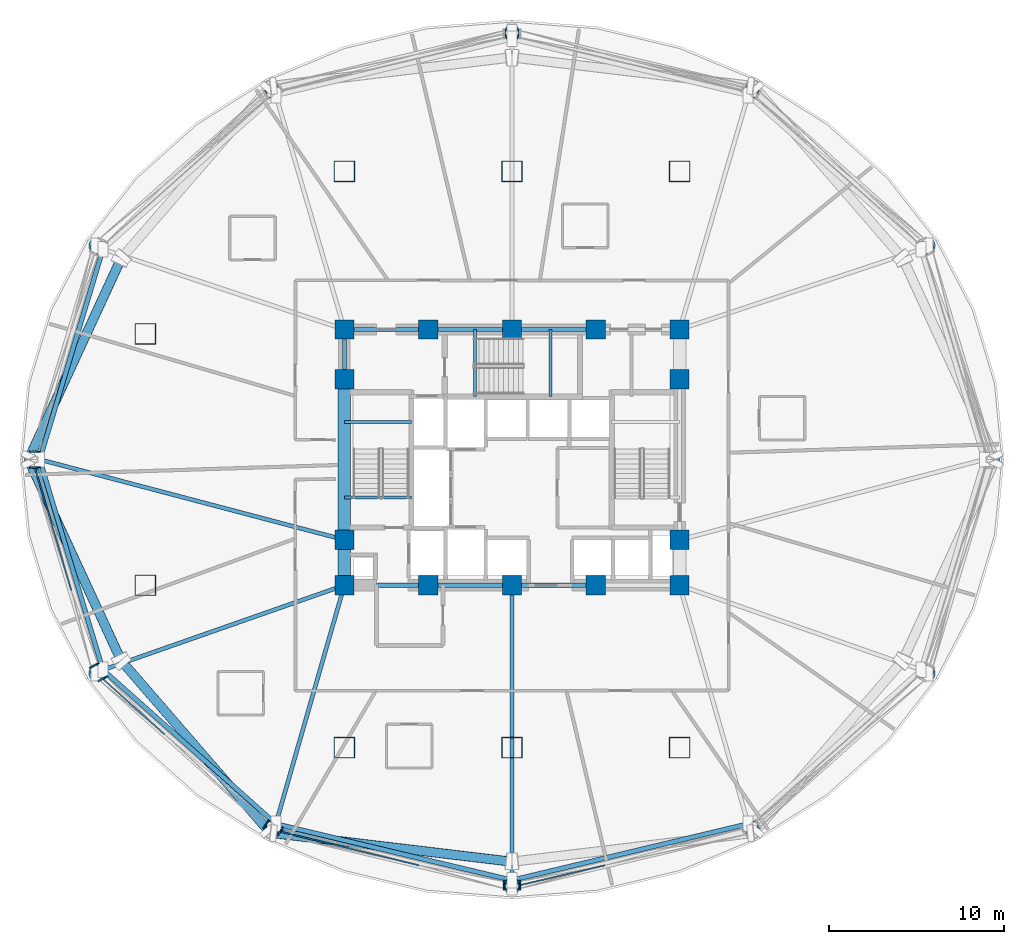
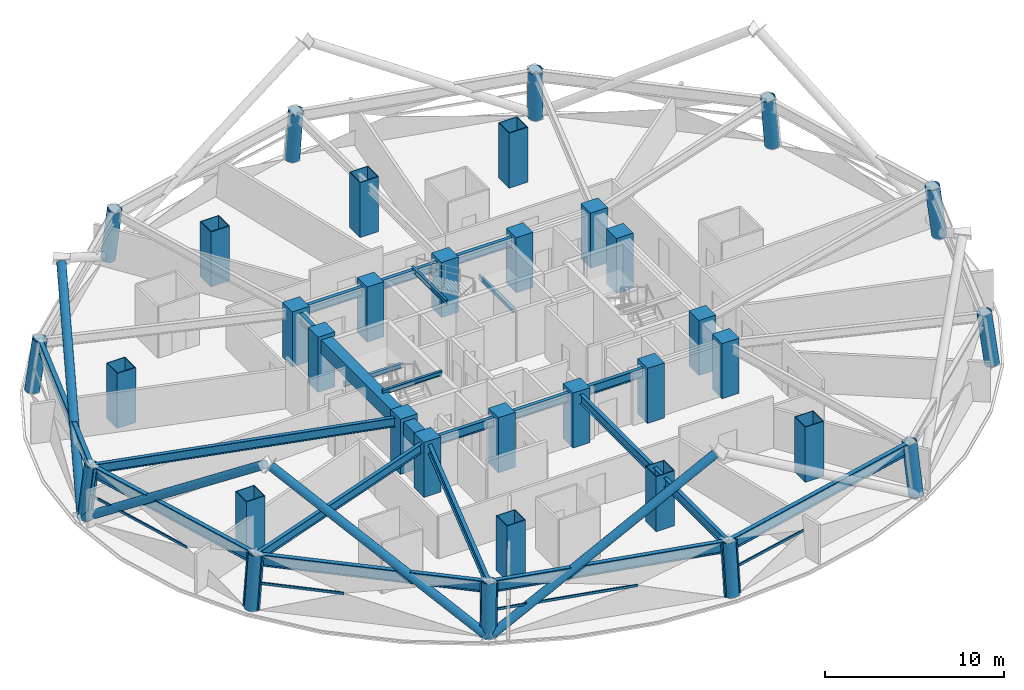
# One storey, part 1 of 13: 34 columns, 22 beams, 16 members, 5 elements without a shape of their own.
"""IFC4 building model written with IfcOpenShell, lengths in metres."""

from ifc_helpers import new_model, si_unit, direction, frame, origin, origin_2d, place, context, subcontext, project, spatial, rectangle, hollow_rectangle, hollow_circle, i_section, extrude, material, layer, layer_set, material_profile, profile_set, type_object, element, aggregate, save


model = new_model("IFC4")

# Units and contexts
model_context = context("Model", 3, precision=1e-05, world=origin(), true_north=direction((0.0, 1.0)))
body_context = subcontext(model_context, "Body", "Model", "MODEL_VIEW")
ifc_project = project(units=[si_unit("LENGTHUNIT", "METRE"), si_unit("AREAUNIT", "SQUARE_METRE"), si_unit("VOLUMEUNIT", "CUBIC_METRE"), si_unit("PLANEANGLEUNIT", "RADIAN"), si_unit("MASSUNIT", "GRAM", prefix="KILO")], contexts=[model_context])

# Site, building, storey
site_placement = place(None, origin())
site = spatial("IfcSite", under=ifc_project, at=site_placement, CompositionType="ELEMENT")
building_placement = place(site_placement, origin())
building = spatial("IfcBuilding", under=site, at=building_placement, Name="Vantalir Tower", CompositionType="ELEMENT")
storey_placement = place(building_placement, frame((0.0, 0.0, 87.0)))
storey = spatial("IfcBuildingStorey", under=building, at=storey_placement, Name="L21", CompositionType="ELEMENT", Elevation=87.0)

# Columns
ifc_material_1 = material(Name="Concrete C60/75", Category="concrete")
ifc_material_profile_1 = material_profile(ifc_material_1, rectangle(XDim=1.10009765625, YDim=1.10009765625, at=origin_2d()), Name="Concrete C60/75")
ifc_profile_set_1 = profile_set([ifc_material_profile_1], Name="Concrete C60/75")
column_type_1 = type_object("IfcColumnType", Name="COL-CC-1100", PredefinedType="COLUMN", material=ifc_profile_set_1)
for number, where, z_axis, x_axis, name in (
    (1, (21.89990234375, 17.800048828125, 0.0), (0.0, 0.0, 1.0), (1.0, 0.0, 0.0), "L21 Core Column CC01"),
    (2, (26.699951171875, 17.800048828125, 0.0), (0.0, 0.0, 1.0), (1.0, 0.0, 0.0), "L21 Core Column CC02"),
    (3, (31.5, 17.800048828125, 0.0), (0.0, 0.0, 1.0), (1.0, 0.0, 0.0), "L21 Core Column CC03"),
    (4, (36.300048828125, 17.800048828125, 0.0), (0.0, 0.0, 1.0), (1.0, 0.0, 0.0), "L21 Core Column CC04"),
    (5, (41.10009765625, 17.800048828125, 0.0), (0.0, 0.0, 1.0), (1.0, 0.0, 0.0), "L21 Core Column CC05"),
    (6, (21.89990234375, 20.39990234375, 0.0), (0.0, 0.0, 1.0), (1.0, 0.0, 0.0), "L21 Core Column CC06"),
    (7, (21.89990234375, 29.60009765625, 0.0), (0.0, 0.0, 1.0), (1.0, 0.0, 0.0), "L21 Core Column CC07"),
    (8, (41.10009765625, 20.39990234375, 0.0), (0.0, 0.0, 1.0), (1.0, 0.0, 0.0), "L21 Core Column CC08"),
    (9, (41.10009765625, 29.60009765625, 0.0), (0.0, 0.0, 1.0), (1.0, 0.0, 0.0), "L21 Core Column CC09"),
    (10, (21.89990234375, 32.449951171875, 0.0), (0.0, 0.0, 1.0), (1.0, 0.0, 0.0), "L21 Core Column CC10"),
    (11, (26.699951171875, 32.449951171875, 0.0), (0.0, 0.0, 1.0), (1.0, 0.0, 0.0), "L21 Core Column CC11"),
    (12, (31.5, 32.449951171875, 0.0), (0.0, 0.0, 1.0), (1.0, 0.0, 0.0), "L21 Core Column CC12"),
    (13, (36.300048828125, 32.449951171875, 0.0), (0.0, 0.0, 1.0), (1.0, 0.0, 0.0), "L21 Core Column CC13"),
    (14, (41.10009765625, 32.449951171875, 0.0), (0.0, 0.0, 1.0), (1.0, 0.0, 0.0), "L21 Core Column CC14"),
):
    element("IfcColumn", number, at=place(storey_placement, frame(where, z_axis=z_axis, x_axis=x_axis)), inside=storey, type_object=column_type_1, Name=name, PredefinedType="COLUMN", context=body_context, shape_type="SweptSolid", body=[
        extrude(rectangle(XDim=1.10009765625, YDim=1.10009765625, at=origin_2d()), origin(), (0.0, 0.0, 1.0), 3.75),
    ])
ifc_material_2 = material(Name="Steel S460", Category="steel")
ifc_material_profile_2 = material_profile(ifc_material_2, hollow_rectangle(XDim=1.199951171875, YDim=1.199951171875, WallThickness=0.044921875, at=origin_2d()), Name="Steel S460")
ifc_profile_set_2 = profile_set([ifc_material_profile_2], Name="Steel S460")
column_type_2 = type_object("IfcColumnType", Name="COL-MC-1200", PredefinedType="COLUMN", material=ifc_profile_set_2)
for number, where, z_axis, x_axis, name in (
    (15, (21.89990234375, 8.5, 0.0), (0.0, 0.0, 1.0), (1.0, 0.0, 0.0), "L21 S460 Mega-Column MC01"),
    (16, (31.5, 8.5, 0.0), (0.0, 0.0, 1.0), (1.0, 0.0, 0.0), "L21 S460 Mega-Column MC02"),
    (17, (41.10009765625, 8.5, 0.0), (0.0, 0.0, 1.0), (1.0, 0.0, 0.0), "L21 S460 Mega-Column MC03"),
    (18, (10.5, 17.800048828125, 0.0), (0.0, 0.0, 1.0), (1.0, 0.0, 0.0), "L21 S460 Mega-Column MC04"),
    (19, (10.5, 32.199951171875, 0.0), (0.0, 0.0, 1.0), (1.0, 0.0, 0.0), "L21 S460 Mega-Column MC05"),
    (20, (21.89990234375, 41.5, 0.0), (0.0, 0.0, 1.0), (1.0, 0.0, 0.0), "L21 S460 Mega-Column MC06"),
    (21, (31.5, 41.5, 0.0), (0.0, 0.0, 1.0), (1.0, 0.0, 0.0), "L21 S460 Mega-Column MC07"),
    (22, (41.10009765625, 41.5, 0.0), (0.0, 0.0, 1.0), (1.0, 0.0, 0.0), "L21 S460 Mega-Column MC08"),
):
    element("IfcColumn", number, at=place(storey_placement, frame(where, z_axis=z_axis, x_axis=x_axis)), inside=storey, type_object=column_type_2, Name=name, PredefinedType="COLUMN", context=body_context, shape_type="SweptSolid", body=[
        extrude(hollow_rectangle(XDim=1.199951171875, YDim=1.199951171875, WallThickness=0.044921875, at=origin_2d()), origin(), (0.0, 0.0, 1.0), 3.75),
    ])
ifc_material_profile_3 = material_profile(ifc_material_2, hollow_circle(Radius=0.425048828125, WallThickness=0.0400390625, at=origin_2d()), Name="Steel S460")
ifc_profile_set_3 = profile_set([ifc_material_profile_3], Name="Steel S460")
column_type_3 = type_object("IfcColumnType", Name="COL-RC-850", PredefinedType="COLUMN", material=ifc_profile_set_3)
column_1_placement = place(storey_placement, frame((59.0, 25.0, 0.0), z_axis=(-0.127508130523, 0.0, 0.991837525329), x_axis=(0.0, -1.0, 0.0)))
element("IfcColumn", 23, at=column_1_placement, inside=storey, type_object=column_type_3, Name="L21 Perimeter Ring Column RC01", PredefinedType="COLUMN", context=body_context, shape_type="SweptSolid", body=[
    extrude(hollow_circle(Radius=0.425048828125, WallThickness=0.0400390625, at=origin_2d()), origin(), (0.0, 0.0, 1.0), 3.52880859375),
])
column_2_placement = place(storey_placement, frame((55.31591796875, 37.2470703125, 0.0), z_axis=(-0.110532853476, -0.057031353328, 0.992234807412), x_axis=(0.458529519134, -0.888679177253, 0.0)))
element("IfcColumn", 24, at=column_2_placement, inside=storey, type_object=column_type_3, Name="L21 Perimeter Ring Column RC02", PredefinedType="COLUMN", context=body_context, shape_type="SweptSolid", body=[
    extrude(hollow_circle(Radius=0.425048828125, WallThickness=0.0400390625, at=origin_2d()), origin(), (0.0, 0.0, 1.0), 3.52734375),
])
column_3_placement = place(storey_placement, frame((45.25, 46.212890625, 0.0), z_axis=(-0.063867569811, -0.098710723407, 0.993064512814), x_axis=(0.839585964149, -0.543226848383, 0.0)))
element("IfcColumn", 25, at=column_3_placement, inside=storey, type_object=column_type_3, Name="L21 Perimeter Ring Column RC03", PredefinedType="COLUMN", context=body_context, shape_type="SweptSolid", body=[
    extrude(hollow_circle(Radius=0.425048828125, WallThickness=0.0400390625, at=origin_2d()), origin(), (0.0, 0.0, 1.0), 3.5244140625),
])
column_4_placement = place(storey_placement, frame((31.5, 49.4951171875, 0.0), z_axis=(0.0, -0.114134855821, 0.993465265969), x_axis=(1.0, 0.0, 0.0)))
element("IfcColumn", 26, at=column_4_placement, inside=storey, type_object=column_type_3, Name="L21 Perimeter Ring Column RC04", PredefinedType="COLUMN", context=body_context, shape_type="SweptSolid", body=[
    extrude(hollow_circle(Radius=0.425048828125, WallThickness=0.0400390625, at=origin_2d()), origin(), (0.0, 0.0, 1.0), 3.52294921875),
])
column_5_placement = place(storey_placement, frame((17.75, 46.212890625, 0.0), z_axis=(0.063867569811, -0.098710723407, 0.993064512814), x_axis=(0.839585964149, 0.543226848383, 0.0)))
element("IfcColumn", 27, at=column_5_placement, inside=storey, type_object=column_type_3, Name="L21 Perimeter Ring Column RC05", PredefinedType="COLUMN", context=body_context, shape_type="SweptSolid", body=[
    extrude(hollow_circle(Radius=0.425048828125, WallThickness=0.0400390625, at=origin_2d()), origin(), (0.0, 0.0, 1.0), 3.5244140625),
])
column_6_placement = place(storey_placement, frame((7.68408203125, 37.2470703125, 0.0), z_axis=(0.110532853476, -0.057031353328, 0.992234807412), x_axis=(0.458529519134, 0.888679177253, 0.0)))
element("IfcColumn", 28, at=column_6_placement, inside=storey, type_object=column_type_3, Name="L21 Perimeter Ring Column RC06", PredefinedType="COLUMN", context=body_context, shape_type="SweptSolid", body=[
    extrude(hollow_circle(Radius=0.425048828125, WallThickness=0.0400390625, at=origin_2d()), origin(), (0.0, 0.0, 1.0), 3.52734375),
])
column_7_placement = place(storey_placement, frame((4.0, 25.0, 0.0), z_axis=(0.127508130523, 0.0, 0.991837525329), x_axis=(0.0, 1.0, 0.0)))
element("IfcColumn", 29, at=column_7_placement, inside=storey, type_object=column_type_3, Name="L21 Perimeter Ring Column RC07", PredefinedType="COLUMN", context=body_context, shape_type="SweptSolid", body=[
    extrude(hollow_circle(Radius=0.425048828125, WallThickness=0.0400390625, at=origin_2d()), origin(), (0.0, 0.0, 1.0), 3.52880859375),
])
column_8_placement = place(storey_placement, frame((7.68408203125, 12.751953125, 0.0), z_axis=(0.110533289521, 0.056962365232, 0.992238721707), x_axis=(-0.458089880056, 0.888905879039, 0.0)))
element("IfcColumn", 30, at=column_8_placement, inside=storey, type_object=column_type_3, Name="L21 Perimeter Ring Column RC08", PredefinedType="COLUMN", context=body_context, shape_type="SweptSolid", body=[
    extrude(hollow_circle(Radius=0.425048828125, WallThickness=0.0400390625, at=origin_2d()), origin(), (0.0, 0.0, 1.0), 3.52734375),
])
column_9_placement = place(storey_placement, frame((17.75, 3.787109375, 0.0), z_axis=(0.063867569811, 0.098710723407, 0.993064512814), x_axis=(-0.839585964149, 0.543226848383, 0.0)))
element("IfcColumn", 31, at=column_9_placement, inside=storey, type_object=column_type_3, Name="L21 Perimeter Ring Column RC09", PredefinedType="COLUMN", context=body_context, shape_type="SweptSolid", body=[
    extrude(hollow_circle(Radius=0.425048828125, WallThickness=0.0400390625, at=origin_2d()), origin(), (0.0, 0.0, 1.0), 3.5244140625),
])
column_10_placement = place(storey_placement, frame((31.5, 0.5048828125, 0.0), z_axis=(0.0, 0.114134855821, 0.993465265969), x_axis=(-1.0, 0.0, 0.0)))
element("IfcColumn", 32, at=column_10_placement, inside=storey, type_object=column_type_3, Name="L21 Perimeter Ring Column RC10", PredefinedType="COLUMN", context=body_context, shape_type="SweptSolid", body=[
    extrude(hollow_circle(Radius=0.425048828125, WallThickness=0.0400390625, at=origin_2d()), origin(), (0.0, 0.0, 1.0), 3.52294921875),
])
column_11_placement = place(storey_placement, frame((45.25, 3.787109375, 0.0), z_axis=(-0.063867569811, 0.098710723407, 0.993064512814), x_axis=(-0.839585964149, -0.543226848383, 0.0)))
element("IfcColumn", 33, at=column_11_placement, inside=storey, type_object=column_type_3, Name="L21 Perimeter Ring Column RC11", PredefinedType="COLUMN", context=body_context, shape_type="SweptSolid", body=[
    extrude(hollow_circle(Radius=0.425048828125, WallThickness=0.0400390625, at=origin_2d()), origin(), (0.0, 0.0, 1.0), 3.5244140625),
])
column_12_placement = place(storey_placement, frame((55.31591796875, 12.751953125, 0.0), z_axis=(-0.110533289521, 0.056962365232, 0.992238721707), x_axis=(-0.458089880056, -0.888905879039, 0.0)))
element("IfcColumn", 34, at=column_12_placement, inside=storey, type_object=column_type_3, Name="L21 Perimeter Ring Column RC12", PredefinedType="COLUMN", context=body_context, shape_type="SweptSolid", body=[
    extrude(hollow_circle(Radius=0.425048828125, WallThickness=0.0400390625, at=origin_2d()), origin(), (0.0, 0.0, 1.0), 3.52734375),
])

# Beams
ifc_material_profile_4 = material_profile(ifc_material_1, rectangle(XDim=0.699951171875, YDim=0.949951171875, at=origin_2d()), Name="Concrete C60/75")
ifc_profile_set_4 = profile_set([ifc_material_profile_4], Name="Concrete C60/75")
beam_type_1 = type_object("IfcBeamType", Name="BM-CB-700x950", PredefinedType="USERDEFINED", material=ifc_profile_set_4)
beam_1_placement = place(storey_placement, frame((21.89990234375, 29.60009765625, 3.02490234375), z_axis=(0.0, -1.0, 0.0), x_axis=(1.0, 0.0, 0.0)))
element("IfcBeam", 35, at=beam_1_placement, inside=storey, type_object=beam_type_1, Name="L21 Core Coupling Girder 13", ObjectType="GIRDER", PredefinedType="USERDEFINED", context=body_context, shape_type="SweptSolid", body=[
    extrude(rectangle(XDim=0.699951171875, YDim=0.949951171875, at=origin_2d()), origin(), (0.0, 0.0, 1.0), 9.2001953125),
])
beam_2_placement = place(storey_placement, frame((21.89990234375, 20.39990234375, 3.02490234375), z_axis=(0.0, -1.0, 0.0), x_axis=(1.0, 0.0, 0.0)))
element("IfcBeam", 36, at=beam_2_placement, inside=storey, type_object=beam_type_1, Name="L21 Core Coupling Girder 14", ObjectType="GIRDER", PredefinedType="USERDEFINED", context=body_context, shape_type="SweptSolid", body=[
    extrude(rectangle(XDim=0.699951171875, YDim=0.949951171875, at=origin_2d()), origin(), (0.0, 0.0, 1.0), 2.599853515625),
])
ifc_material_3 = material(Name="Steel S355", Category="steel")
ifc_material_profile_5 = material_profile(ifc_material_3, i_section(OverallWidth=0.166015625, OverallDepth=0.306884765625, WebThickness=0.006591796875, FlangeThickness=0.01171875, at=origin_2d()), Name="Steel S355")
ifc_profile_set_5 = profile_set([ifc_material_profile_5], Name="Steel S355")
beam_type_2 = type_object("IfcBeamType", Name="BM-JS-305x165", PredefinedType="JOIST", material=ifc_profile_set_5)
for number, where, z_axis, x_axis, name in (
    (37, (21.89990234375, 22.8349609375, 3.595947265625), (1.0, 0.0, 0.0), (0.0, 1.0, 0.0), "L22 Stair ST1 Well Nosing Trimmer Beam"),
    (38, (21.89990234375, 27.14501953125, 1.52197265625), (1.0, 0.0, 0.0), (0.0, 1.0, 0.0), "L21 Stair ST1 Half-Landing Support Beam"),
):
    element("IfcBeam", number, at=place(storey_placement, frame(where, z_axis=z_axis, x_axis=x_axis)), inside=storey, type_object=beam_type_2, Name=name, PredefinedType="JOIST", context=body_context, shape_type="SweptSolid", body=[
        extrude(i_section(OverallWidth=0.166015625, OverallDepth=0.306884765625, WebThickness=0.006591796875, FlangeThickness=0.01171875, at=origin_2d()), origin(), (0.0, 0.0, 1.0), 3.840087890625),
    ])
for number, where, z_axis, x_axis, name in (
    (39, (29.385009765625, 28.60009765625, 3.595947265625), (0.0, 1.0, 0.0), (-1.0, 0.0, 0.0), "L22 Stair ST3 Well Nosing Trimmer Beam"),
    (40, (33.695068359375, 28.60009765625, 1.52197265625), (0.0, 1.0, 0.0), (-1.0, 0.0, 0.0), "L21 Stair ST3 Half-Landing Support Beam"),
):
    element("IfcBeam", number, at=place(storey_placement, frame(where, z_axis=z_axis, x_axis=x_axis)), inside=storey, type_object=beam_type_2, Name=name, PredefinedType="JOIST", context=body_context, shape_type="SweptSolid", body=[
        extrude(i_section(OverallWidth=0.166015625, OverallDepth=0.306884765625, WebThickness=0.006591796875, FlangeThickness=0.01171875, at=origin_2d()), origin(), (0.0, 0.0, 1.0), 3.849853515625),
    ])
ifc_material_profile_6 = material_profile(ifc_material_3, i_section(OverallWidth=0.22998046875, OverallDepth=0.616943359375, WebThickness=0.01318359375, FlangeThickness=0.022216796875, at=origin_2d()), Name="Steel S355")
ifc_profile_set_6 = profile_set([ifc_material_profile_6], Name="Steel S355")
beam_type_3 = type_object("IfcBeamType", Name="BM-RB-610x229", PredefinedType="BEAM", material=ifc_profile_set_6)
for number, where, z_axis, x_axis, name in (
    (41, (21.89990234375, 17.800048828125, 3.19189453125), (1.0, 0.0, 0.0), (0.0, 1.0, 0.0), "L21 Core Coupling Girder 01"),
    (42, (26.699951171875, 17.800048828125, 3.19189453125), (1.0, 0.0, 0.0), (0.0, 1.0, 0.0), "L21 Core Coupling Girder 02"),
    (43, (31.5, 17.800048828125, 3.19189453125), (1.0, 0.0, 0.0), (0.0, 1.0, 0.0), "L21 Core Coupling Girder 03"),
    (44, (36.300048828125, 32.449951171875, 3.19189453125), (-1.0, 0.0, 0.0), (0.0, -1.0, 0.0), "L21 Core Coupling Girder 09"),
    (45, (31.5, 32.449951171875, 3.19189453125), (-1.0, 0.0, 0.0), (0.0, -1.0, 0.0), "L21 Core Coupling Girder 10"),
    (46, (26.699951171875, 32.449951171875, 3.19189453125), (-1.0, 0.0, 0.0), (0.0, -1.0, 0.0), "L21 Core Coupling Girder 11"),
):
    element("IfcBeam", number, at=place(storey_placement, frame(where, z_axis=z_axis, x_axis=x_axis)), inside=storey, type_object=beam_type_3, Name=name, PredefinedType="BEAM", context=body_context, shape_type="SweptSolid", body=[
        extrude(i_section(OverallWidth=0.22998046875, OverallDepth=0.616943359375, WebThickness=0.01318359375, FlangeThickness=0.022216796875, at=origin_2d()), origin(), (0.0, 0.0, 1.0), 4.800048828125),
    ])
beam_3_placement = place(storey_placement, frame((21.89990234375, 32.449951171875, 3.19189453125), z_axis=(0.0, -1.0, 0.0), x_axis=(1.0, 0.0, 0.0)))
element("IfcBeam", 47, at=beam_3_placement, inside=storey, type_object=beam_type_3, Name="L21 Core Coupling Girder 12", PredefinedType="BEAM", context=body_context, shape_type="SweptSolid", body=[
    extrude(i_section(OverallWidth=0.22998046875, OverallDepth=0.616943359375, WebThickness=0.01318359375, FlangeThickness=0.022216796875, at=origin_2d()), origin(), (0.0, 0.0, 1.0), 2.849853515625),
])
beam_4_placement = place(storey_placement, frame((4.449951171875, 25.0, 3.19189453125), z_axis=(0.966965272204, -0.25490814493, 0.0), x_axis=(0.25490814493, 0.966965272204, 0.0)))
element("IfcBeam", 48, at=beam_4_placement, inside=storey, type_object=beam_type_3, Name="L21 Radial Floor Beam 07", PredefinedType="BEAM", context=body_context, shape_type="SweptSolid", body=[
    extrude(i_section(OverallWidth=0.22998046875, OverallDepth=0.616943359375, WebThickness=0.01318359375, FlangeThickness=0.022216796875, at=origin_2d()), origin(), (0.0, 0.0, 1.0), 18.046142578125),
])
beam_5_placement = place(storey_placement, frame((8.073974609375, 12.952880859375, 3.19189453125), z_axis=(0.943685986294, 0.330842499194, 0.0), x_axis=(-0.330842499194, 0.943685986294, 0.0)))
element("IfcBeam", 49, at=beam_5_placement, inside=storey, type_object=beam_type_3, Name="L21 Radial Floor Beam 08", PredefinedType="BEAM", context=body_context, shape_type="SweptSolid", body=[
    extrude(i_section(OverallWidth=0.22998046875, OverallDepth=0.616943359375, WebThickness=0.01318359375, FlangeThickness=0.022216796875, at=origin_2d()), origin(), (0.0, 0.0, 1.0), 14.65087890625),
])
beam_6_placement = place(storey_placement, frame((17.97509765625, 4.135009765625, 3.19189453125), z_axis=(0.276054434933, 0.961142002492, 0.0), x_axis=(-0.961142002492, 0.276054434933, 0.0)))
element("IfcBeam", 50, at=beam_6_placement, inside=storey, type_object=beam_type_3, Name="L21 Radial Floor Beam 09", PredefinedType="BEAM", context=body_context, shape_type="SweptSolid", body=[
    extrude(i_section(OverallWidth=0.22998046875, OverallDepth=0.616943359375, WebThickness=0.01318359375, FlangeThickness=0.022216796875, at=origin_2d()), origin(), (0.0, 0.0, 1.0), 14.217529296875),
])
beam_7_placement = place(storey_placement, frame((31.5, 0.906982421875, 3.19189453125), z_axis=(0.0, 1.0, 0.0), x_axis=(-1.0, 0.0, 0.0)))
element("IfcBeam", 51, at=beam_7_placement, inside=storey, type_object=beam_type_3, Name="L21 Radial Floor Beam 10", PredefinedType="BEAM", context=body_context, shape_type="SweptSolid", body=[
    extrude(i_section(OverallWidth=0.22998046875, OverallDepth=0.616943359375, WebThickness=0.01318359375, FlangeThickness=0.022216796875, at=origin_2d()), origin(), (0.0, 0.0, 1.0), 16.89306640625),
])
ifc_material_profile_7 = material_profile(ifc_material_2, i_section(OverallWidth=0.26806640625, OverallDepth=0.77001953125, WebThickness=0.015625, FlangeThickness=0.025390625, at=origin_2d()), Name="Steel S460")
ifc_profile_set_7 = profile_set([ifc_material_profile_7], Name="Steel S460")
beam_type_4 = type_object("IfcBeamType", Name="BM-RG-762x267", PredefinedType="USERDEFINED", material=ifc_profile_set_7)
beam_8_placement = place(storey_placement, frame((8.073974609375, 37.0458984375, 3.114990234375), z_axis=(-0.288095637705, -0.95760164136, 0.0), x_axis=(0.95760164136, -0.288095637705, 0.0)))
element("IfcBeam", 52, at=beam_8_placement, inside=storey, type_object=beam_type_4, Name="L21 Circumferential Ring Girder 06", ObjectType="GIRDER", PredefinedType="USERDEFINED", context=body_context, shape_type="SweptSolid", body=[
    extrude(i_section(OverallWidth=0.26806640625, OverallDepth=0.77001953125, WebThickness=0.015625, FlangeThickness=0.025390625, at=origin_2d()), origin(), (0.0, 0.0, 1.0), 12.579345703125),
])
beam_9_placement = place(storey_placement, frame((4.449951171875, 25.0, 3.114990234375), z_axis=(0.288068868296, -0.957609694562, 0.0), x_axis=(0.957609694562, 0.288068868296, 0.0)))
element("IfcBeam", 53, at=beam_9_placement, inside=storey, type_object=beam_type_4, Name="L21 Circumferential Ring Girder 07", ObjectType="GIRDER", PredefinedType="USERDEFINED", context=body_context, shape_type="SweptSolid", body=[
    extrude(i_section(OverallWidth=0.26806640625, OverallDepth=0.77001953125, WebThickness=0.015625, FlangeThickness=0.025390625, at=origin_2d()), origin(), (0.0, 0.0, 1.0), 12.580322265625),
])
beam_10_placement = place(storey_placement, frame((8.073974609375, 12.952880859375, 3.114990234375), z_axis=(0.746777065198, -0.665074443122, 0.0), x_axis=(0.665074443122, 0.746777065198, 0.0)))
element("IfcBeam", 54, at=beam_10_placement, inside=storey, type_object=beam_type_4, Name="L21 Circumferential Ring Girder 08", ObjectType="GIRDER", PredefinedType="USERDEFINED", context=body_context, shape_type="SweptSolid", body=[
    extrude(i_section(OverallWidth=0.26806640625, OverallDepth=0.77001953125, WebThickness=0.015625, FlangeThickness=0.025390625, at=origin_2d()), origin(), (0.0, 0.0, 1.0), 13.258544921875),
])
for number, where, z_axis, x_axis, name in (
    (55, (17.97509765625, 4.135009765625, 3.114990234375), (0.972679470738, -0.232152206977, 0.0), (0.232152206977, 0.972679470738, 0.0), "L21 Circumferential Ring Girder 09"),
    (56, (31.5, 0.906982421875, 3.114990234375), (0.972679470738, 0.232152206977, 0.0), (-0.232152206977, 0.972679470738, 0.0), "L21 Circumferential Ring Girder 10"),
):
    element("IfcBeam", number, at=place(storey_placement, frame(where, z_axis=z_axis, x_axis=x_axis)), inside=storey, type_object=beam_type_4, Name=name, ObjectType="GIRDER", PredefinedType="USERDEFINED", context=body_context, shape_type="SweptSolid", body=[
        extrude(i_section(OverallWidth=0.26806640625, OverallDepth=0.77001953125, WebThickness=0.015625, FlangeThickness=0.025390625, at=origin_2d()), origin(), (0.0, 0.0, 1.0), 13.90478515625),
    ])

# Curtain wall, member
ifc_material_4 = material(Name="Champagne-silver PVDF aluminium and double-silver Low-E glass", Category="aluminium")
ifc_layer = layer(ifc_material_4, 0.18994140625)
ifc_layer_set = layer_set([ifc_layer], Name="Champagne-silver PVDF aluminium and double-silver Low-E glass")
curtain_wall_type = type_object("IfcCurtainWallType", Name="CW-DIAMOND-Z1", PredefinedType="USERDEFINED", material=ifc_layer_set)
curtain_wall_1_placement = place(storey_placement, origin())
curtain_wall_1 = element("IfcCurtainWall", 57, at=curtain_wall_1_placement, inside=storey, type_object=curtain_wall_type, Name="L21 Quilted Pyramid-Diamond Curtain Wall S06", ObjectType="UNITISED CURTAIN WALL", PredefinedType="USERDEFINED")
ifc_material_5 = material(Name="Champagne-silver PVDF aluminium 6063-T6", Category="aluminium")
ifc_material_profile_8 = material_profile(ifc_material_5, hollow_rectangle(XDim=0.074951171875, YDim=0.179931640625, WallThickness=0.00390625, at=origin_2d()), Name="Champagne-silver PVDF aluminium 6063-T6")
ifc_profile_set_8 = profile_set([ifc_material_profile_8], Name="Champagne-silver PVDF aluminium 6063-T6")
member_type_1 = type_object("IfcMemberType", Name="CWM-180x75", PredefinedType="MULLION", material=ifc_profile_set_8)
member_1_placement = place(storey_placement, frame((3.945068359375, 25.449951171875, 0.044921875), z_axis=(0.130810693925, 0.0, 0.991407364485), x_axis=(0.0, 1.0, 0.0)))
member_1 = element("IfcMember", 58, at=member_1_placement, type_object=member_type_1, Name="CW-L21-S06 Mullion 2", PredefinedType="MULLION", context=body_context, shape_type="SweptSolid", body=[
    extrude(hollow_rectangle(XDim=0.074951171875, YDim=0.179931640625, WallThickness=0.00390625, at=origin_2d()), origin(), (0.0, 0.0, 1.0), 3.439697265625),
])
aggregate(curtain_wall_1, [member_1])

# Curtain wall, members
curtain_wall_2_placement = place(storey_placement, origin())
curtain_wall_2 = element("IfcCurtainWall", 59, at=curtain_wall_2_placement, inside=storey, type_object=curtain_wall_type, Name="L21 Quilted Pyramid-Diamond Curtain Wall S07", ObjectType="UNITISED CURTAIN WALL", PredefinedType="USERDEFINED")
member_2_placement = place(storey_placement, frame((3.945068359375, 24.550048828125, 0.044921875), z_axis=(0.130810693925, 0.0, 0.991407364485), x_axis=(0.0, 1.0, 0.0)))
member_2 = element("IfcMember", 60, at=member_2_placement, type_object=member_type_1, Name="CW-L21-S07 Mullion 1", PredefinedType="MULLION", context=body_context, shape_type="SweptSolid", body=[
    extrude(hollow_rectangle(XDim=0.074951171875, YDim=0.179931640625, WallThickness=0.00390625, at=origin_2d()), origin(), (0.0, 0.0, 1.0), 3.439697265625),
])
member_3_placement = place(storey_placement, frame((7.385009765625, 13.10693359375, 0.044921875), z_axis=(0.113117738357, 0.058511623607, 0.991857231244), x_axis=(-0.459438087235, 0.888209797288, 0.0)))
member_3 = element("IfcMember", 61, at=member_3_placement, type_object=member_type_1, Name="CW-L21-S07 Mullion 2", PredefinedType="MULLION", context=body_context, shape_type="SweptSolid", body=[
    extrude(hollow_rectangle(XDim=0.074951171875, YDim=0.179931640625, WallThickness=0.00390625, at=origin_2d()), origin(), (0.0, 0.0, 1.0), 3.438232421875),
])

curtain_wall_3_placement = place(storey_placement, origin())
curtain_wall_3 = element("IfcCurtainWall", 62, at=curtain_wall_3_placement, inside=storey, type_object=curtain_wall_type, Name="L21 Quilted Pyramid-Diamond Curtain Wall S08", ObjectType="UNITISED CURTAIN WALL", PredefinedType="USERDEFINED")
member_4_placement = place(storey_placement, frame((7.87109375, 12.343994140625, 0.044921875), z_axis=(0.113118208064, 0.058440857022, 0.991861349804), x_axis=(-0.458998041564, 0.888437278507, 0.0)))
member_4 = element("IfcMember", 63, at=member_4_placement, type_object=member_type_1, Name="CW-L21-S08 Mullion 1", PredefinedType="MULLION", context=body_context, shape_type="SweptSolid", body=[
    extrude(hollow_rectangle(XDim=0.074951171875, YDim=0.179931640625, WallThickness=0.00390625, at=origin_2d()), origin(), (0.0, 0.0, 1.0), 3.438232421875),
])
member_5_placement = place(storey_placement, frame((17.303955078125, 3.93505859375, 0.044921875), z_axis=(0.065526047627, 0.101273989011, 0.99269830071), x_axis=(-0.839585964149, 0.543226848383, 0.0)))
member_5 = element("IfcMember", 64, at=member_5_placement, type_object=member_type_1, Name="CW-L21-S08 Mullion 2", PredefinedType="MULLION", context=body_context, shape_type="SweptSolid", body=[
    extrude(hollow_rectangle(XDim=0.074951171875, YDim=0.179931640625, WallThickness=0.00390625, at=origin_2d()), origin(), (0.0, 0.0, 1.0), 3.435302734375),
])

curtain_wall_4_placement = place(storey_placement, origin())
curtain_wall_4 = element("IfcCurtainWall", 65, at=curtain_wall_4_placement, inside=storey, type_object=curtain_wall_type, Name="L21 Quilted Pyramid-Diamond Curtain Wall S09", ObjectType="UNITISED CURTAIN WALL", PredefinedType="USERDEFINED")
member_6_placement = place(storey_placement, frame((18.112060546875, 3.512939453125, 0.044921875), z_axis=(0.065454811537, 0.101344800491, 0.992695773669), x_axis=(-0.840028191384, 0.542542751938, 0.0)))
member_6 = element("IfcMember", 66, at=member_6_placement, type_object=member_type_1, Name="CW-L21-S09 Mullion 1", PredefinedType="MULLION", context=body_context, shape_type="SweptSolid", body=[
    extrude(hollow_rectangle(XDim=0.074951171875, YDim=0.179931640625, WallThickness=0.00390625, at=origin_2d()), origin(), (0.0, 0.0, 1.0), 3.435302734375),
])
member_7_placement = place(storey_placement, frame((31.04296875, 0.424072265625, 0.044921875), z_axis=(0.0, 0.117031007871, 0.993128261201), x_axis=(-1.0, 0.0, 0.0)))
member_7 = element("IfcMember", 67, at=member_7_placement, type_object=member_type_1, Name="CW-L21-S09 Mullion 2", PredefinedType="MULLION", context=body_context, shape_type="SweptSolid", body=[
    extrude(hollow_rectangle(XDim=0.074951171875, YDim=0.179931640625, WallThickness=0.00390625, at=origin_2d()), origin(), (0.0, 0.0, 1.0), 3.433837890625),
])

# Curtain wall, member
curtain_wall_5_placement = place(storey_placement, origin())
curtain_wall_5 = element("IfcCurtainWall", 68, at=curtain_wall_5_placement, inside=storey, type_object=curtain_wall_type, Name="L21 Quilted Pyramid-Diamond Curtain Wall S10", ObjectType="UNITISED CURTAIN WALL", PredefinedType="USERDEFINED")
member_8_placement = place(storey_placement, frame((31.95703125, 0.424072265625, 0.044921875), z_axis=(0.0, 0.117031007871, 0.993128261201), x_axis=(-1.0, 0.0, 0.0)))
member_8 = element("IfcMember", 69, at=member_8_placement, type_object=member_type_1, Name="CW-L21-S10 Mullion 1", PredefinedType="MULLION", context=body_context, shape_type="SweptSolid", body=[
    extrude(hollow_rectangle(XDim=0.074951171875, YDim=0.179931640625, WallThickness=0.00390625, at=origin_2d()), origin(), (0.0, 0.0, 1.0), 3.433837890625),
])

# Member
ifc_material_profile_9 = material_profile(ifc_material_5, hollow_rectangle(XDim=0.074951171875, YDim=0.159912109375, WallThickness=0.00390625, at=origin_2d()), Name="Champagne-silver PVDF aluminium 6063-T6")
ifc_profile_set_9 = profile_set([ifc_material_profile_9], Name="Champagne-silver PVDF aluminium 6063-T6")
member_type_2 = type_object("IfcMemberType", Name="CWT-160x75", PredefinedType="USERDEFINED", material=ifc_profile_set_9)
member_9_placement = place(storey_placement, frame((4.169921875, 24.550048828125, 1.75), z_axis=(0.284766335123, -0.958596961387, 0.0), x_axis=(0.958596961387, 0.284766335123, 0.0)))
member_9 = element("IfcMember", 70, at=member_9_placement, type_object=member_type_2, Name="CW-L21-S07 Pyramid Fold Ridge Transom", ObjectType="TRANSOM", PredefinedType="USERDEFINED", context=body_context, shape_type="SweptSolid", body=[
    extrude(hollow_rectangle(XDim=0.074951171875, YDim=0.159912109375, WallThickness=0.00390625, at=origin_2d()), origin(), (0.0, 0.0, 1.0), 7.343017578125),
])

aggregate(curtain_wall_2, [member_2, member_3, member_9])

member_10_placement = place(storey_placement, frame((8.06494140625, 12.445068359375, 1.75), z_axis=(0.743141011737, -0.669134841922, 0.0), x_axis=(0.669134841922, 0.743141011737, 0.0)))
member_10 = element("IfcMember", 71, at=member_10_placement, type_object=member_type_2, Name="CW-L21-S08 Pyramid Fold Ridge Transom", ObjectType="TRANSOM", PredefinedType="USERDEFINED", context=body_context, shape_type="SweptSolid", body=[
    extrude(hollow_rectangle(XDim=0.074951171875, YDim=0.159912109375, WallThickness=0.00390625, at=origin_2d()), origin(), (0.0, 0.0, 1.0), 4.757080078125),
])

aggregate(curtain_wall_3, [member_4, member_5, member_10])

member_11_placement = place(storey_placement, frame((18.22509765625, 3.68701171875, 1.75), z_axis=(0.971939385494, -0.235231441193, 0.0), x_axis=(0.235231441193, 0.971939385494, 0.0)))
member_11 = element("IfcMember", 72, at=member_11_placement, type_object=member_type_2, Name="CW-L21-S09 Pyramid Fold Ridge Transom", ObjectType="TRANSOM", PredefinedType="USERDEFINED", context=body_context, shape_type="SweptSolid", body=[
    extrude(hollow_rectangle(XDim=0.074951171875, YDim=0.159912109375, WallThickness=0.00390625, at=origin_2d()), origin(), (0.0, 0.0, 1.0), 8.171142578125),
])

aggregate(curtain_wall_4, [member_6, member_7, member_11])

member_12_placement = place(storey_placement, frame((31.95703125, 0.625, 1.75), z_axis=(0.973745461907, 0.227639573485, 0.0), x_axis=(-0.227639573485, 0.973745461907, 0.0)))
member_12 = element("IfcMember", 73, at=member_12_placement, type_object=member_type_2, Name="CW-L21-S10 Pyramid Fold Ridge Transom", ObjectType="TRANSOM", PredefinedType="USERDEFINED", context=body_context, shape_type="SweptSolid", body=[
    extrude(hollow_rectangle(XDim=0.074951171875, YDim=0.159912109375, WallThickness=0.00390625, at=origin_2d()), origin(), (0.0, 0.0, 1.0), 5.00732421875),
])

aggregate(curtain_wall_5, [member_8, member_12])

# Members
ifc_material_profile_10 = material_profile(ifc_material_2, hollow_circle(Radius=0.27001953125, WallThickness=0.044921875, at=origin_2d()), Name="Steel S460")
ifc_profile_set_10 = profile_set([ifc_material_profile_10], Name="Steel S460")
member_type_3 = type_object("IfcMemberType", Name="MEM-DB-540x45", PredefinedType="BRACE", material=ifc_profile_set_10)
member_13_placement = place(storey_placement, frame((3.885986328125, 24.8359375, 0.2060546875), z_axis=(0.343952396691, -0.745840470326, 0.570454855037), x_axis=(0.908089824965, 0.418775440773, 0.0)))
element("IfcMember", 74, at=member_13_placement, inside=storey, type_object=member_type_3, Name="L21 Perimeter S460 Diagrid Brace R19L", PredefinedType="BRACE", context=body_context, shape_type="SweptSolid", body=[
    extrude(hollow_circle(Radius=0.27001953125, WallThickness=0.044921875, at=origin_2d()), origin(), (0.0, 0.0, 1.0), 15.001708984375),
])
member_14_placement = place(storey_placement, frame((3.885986328125, 25.1640625, 0.2060546875), z_axis=(0.343969096559, 0.745811583577, 0.570482552244), x_axis=(-0.908075923895, 0.418805583108, 0.0)))
element("IfcMember", 75, at=member_14_placement, inside=storey, type_object=member_type_3, Name="L21 Perimeter S460 Diagrid Brace R19R", PredefinedType="BRACE", context=body_context, shape_type="SweptSolid", body=[
    extrude(hollow_circle(Radius=0.27001953125, WallThickness=0.044921875, at=origin_2d()), origin(), (0.0, 0.0, 1.0), 15.0009765625),
])
member_15_placement = place(storey_placement, frame((17.840087890625, 3.60009765625, 0.197998046875), z_axis=(0.839427970097, -0.100363908008, 0.534123364953), x_axis=(0.118716738441, 0.992928162565, 0.0)))
element("IfcMember", 76, at=member_15_placement, inside=storey, type_object=member_type_3, Name="L21 Perimeter S460 Diagrid Brace R25L", PredefinedType="BRACE", context=body_context, shape_type="SweptSolid", body=[
    extrude(hollow_circle(Radius=0.27001953125, WallThickness=0.044921875, at=origin_2d()), origin(), (0.0, 0.0, 1.0), 16.052490234375),
])
member_16_placement = place(storey_placement, frame((17.535888671875, 3.760009765625, 0.202880859375), z_axis=(-0.542229497405, 0.62655786638, 0.559832485857), x_axis=(-0.756159152019, -0.654387757234, 0.0)))
element("IfcMember", 77, at=member_16_placement, inside=storey, type_object=member_type_3, Name="L21 Perimeter S460 Diagrid Brace R25R", PredefinedType="BRACE", context=body_context, shape_type="SweptSolid", body=[
    extrude(hollow_circle(Radius=0.27001953125, WallThickness=0.044921875, at=origin_2d()), origin(), (0.0, 0.0, 1.0), 15.2978515625),
])

save(model, "model.ifc")
